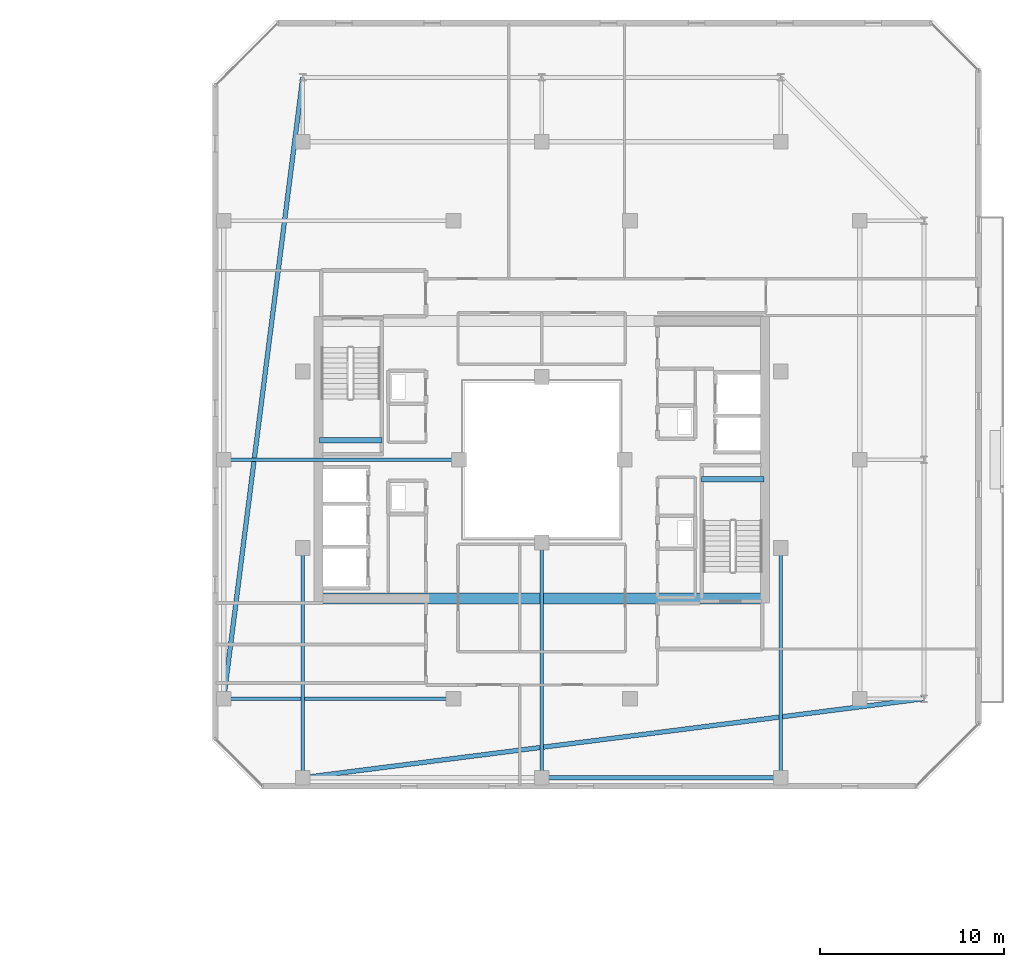
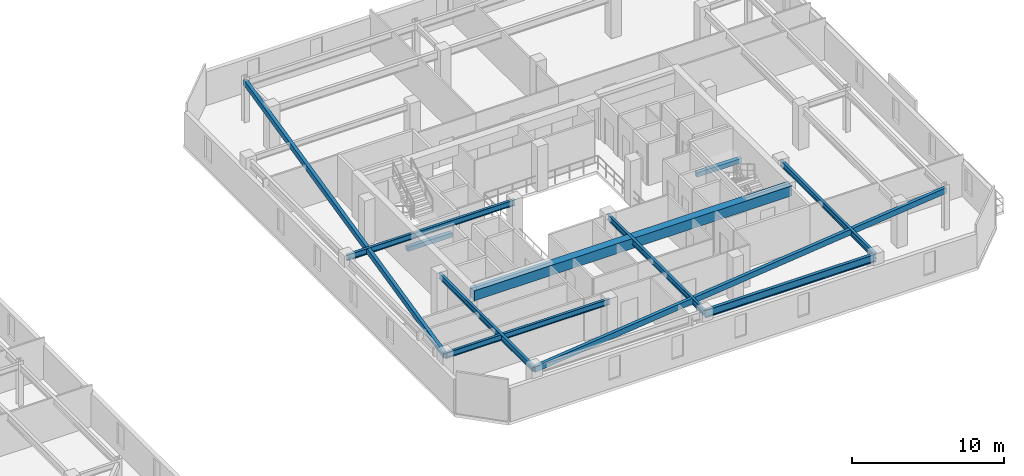
# One storey, part 15 of 35: 11 beams.
"""IFC4 building model written with IfcOpenShell, lengths in metres."""

from ifc_helpers import new_model, si_unit, direction, frame, origin, origin_2d, place, context, subcontext, project, spatial, rectangle, hollow_rectangle, i_section, extrude, material, material_profile, profile_set, type_object, element, save


model = new_model("IFC4")

# Units and contexts
model_context = context("Model", 3, precision=1e-05, world=origin(), true_north=direction((0.0, 1.0)))
body_context = subcontext(model_context, "Body", "Model", "MODEL_VIEW")
ifc_project = project(units=[si_unit("LENGTHUNIT", "METRE"), si_unit("AREAUNIT", "SQUARE_METRE"), si_unit("VOLUMEUNIT", "CUBIC_METRE"), si_unit("PLANEANGLEUNIT", "RADIAN"), si_unit("MASSUNIT", "GRAM", prefix="KILO")], contexts=[model_context])

# Site, building, storey
site_placement = place(None, origin())
site = spatial("IfcSite", under=ifc_project, at=site_placement, CompositionType="ELEMENT")
building_placement = place(site_placement, origin())
building = spatial("IfcBuilding", under=site, at=building_placement, Name="Thornwick Lancets Civic Towers", CompositionType="ELEMENT")
storey_placement = place(building_placement, frame((0.0, 0.0, 265.5)))
storey = spatial("IfcBuildingStorey", under=building, at=storey_placement, Name="L71", CompositionType="ELEMENT", Elevation=265.5)

# Beams
ifc_material_1 = material(Name="Concrete C60/75", Category="concrete")
ifc_material_profile_1 = material_profile(ifc_material_1, rectangle(XDim=0.60009765625, YDim=0.800048828125, at=origin_2d()), Name="RC 600x800")
ifc_profile_set_1 = profile_set([ifc_material_profile_1], Name="Concrete C60/75")
beam_type_1 = type_object("IfcBeamType", Name="BM_COUP_RC800", PredefinedType="BEAM", material=ifc_profile_set_1)
beam_1_placement = place(storey_placement, frame((76.39990234375, 19.449951171875, 2.9599609375), z_axis=(1.0, 0.0, 0.0), x_axis=(0.0, 1.0, 0.0)))
element("IfcBeam", 1, at=beam_1_placement, inside=storey, type_object=beam_type_1, Name="CB-L71-B2", PredefinedType="BEAM", context=body_context, shape_type="SweptSolid", body=[
    extrude(rectangle(XDim=0.60009765625, YDim=0.800048828125, at=origin_2d()), origin(), (0.0, 0.0, 1.0), 24.2001953125),
])
ifc_material_2 = material(Name="Steel S355JR", Category="steel")
ifc_material_profile_2 = material_profile(ifc_material_2, i_section(OverallWidth=0.230224609375, OverallDepth=0.6171875, WebThickness=0.01318359375, FlangeThickness=0.022216796875, FilletRadius=0.0126953125, at=origin_2d()), Name="UKB 610x229x140")
ifc_profile_set_2 = profile_set([ifc_material_profile_2], Name="Steel S355JR")
beam_type_2 = type_object("IfcBeamType", Name="BM_GIRD_610_140", PredefinedType="BEAM", material=ifc_profile_set_2)
beam_2_placement = place(storey_placement, frame((101.5, 9.699951171875, 3.051513671875), z_axis=(-1.0, 0.0, 0.0), x_axis=(0.0, -1.0, 0.0)))
element("IfcBeam", 2, at=beam_2_placement, inside=storey, type_object=beam_type_2, Name="BM-SPINE-L71-B-9-10", PredefinedType="BEAM", context=body_context, shape_type="SweptSolid", body=[
    extrude(i_section(OverallWidth=0.230224609375, OverallDepth=0.6171875, WebThickness=0.01318359375, FlangeThickness=0.022216796875, FilletRadius=0.0126953125, at=origin_2d()), origin(), (0.0, 0.0, 1.0), 13.0),
])
ifc_material_profile_3 = material_profile(ifc_material_2, i_section(OverallWidth=0.19287109375, OverallDepth=0.46728515625, WebThickness=0.011474609375, FlangeThickness=0.01953125, FilletRadius=0.01025390625, at=origin_2d()), Name="UKB 457x191x98")
ifc_profile_set_3 = profile_set([ifc_material_profile_3], Name="Steel S355JR")
beam_type_3 = type_object("IfcBeamType", Name="BM_JOIST_457_98", PredefinedType="JOIST", material=ifc_profile_set_3)
beam_3_placement = place(storey_placement, frame((83.699951171875, 14.0, 3.12646484375), z_axis=(-1.0, 0.0, 0.0), x_axis=(0.0, -1.0, 0.0)))
element("IfcBeam", 3, at=beam_3_placement, inside=storey, type_object=beam_type_3, Name="BM-RADIN-L71-B07", PredefinedType="JOIST", context=body_context, shape_type="SweptSolid", body=[
    extrude(i_section(OverallWidth=0.19287109375, OverallDepth=0.46728515625, WebThickness=0.011474609375, FlangeThickness=0.01953125, FilletRadius=0.01025390625, at=origin_2d()), origin(), (0.0, 0.0, 1.0), 12.5),
])
beam_4_placement = place(storey_placement, frame((84.0, 27.0, 3.12646484375), z_axis=(-1.0, 0.0, 0.0), x_axis=(0.0, -1.0, 0.0)))
element("IfcBeam", 4, at=beam_4_placement, inside=storey, type_object=beam_type_3, Name="BM-RADIN-L71-B08", PredefinedType="JOIST", context=body_context, shape_type="SweptSolid", body=[
    extrude(i_section(OverallWidth=0.19287109375, OverallDepth=0.46728515625, WebThickness=0.011474609375, FlangeThickness=0.01953125, FilletRadius=0.01025390625, at=origin_2d()), origin(), (0.0, 0.0, 1.0), 12.800048828125),
])
beam_5_placement = place(storey_placement, frame((101.5, 22.199951171875, 3.12646484375), z_axis=(0.0, -1.0, 0.0), x_axis=(1.0, 0.0, 0.0)))
element("IfcBeam", 5, at=beam_5_placement, inside=storey, type_object=beam_type_3, Name="BM-RADIN-L71-B10", PredefinedType="JOIST", context=body_context, shape_type="SweptSolid", body=[
    extrude(i_section(OverallWidth=0.19287109375, OverallDepth=0.46728515625, WebThickness=0.011474609375, FlangeThickness=0.01953125, FilletRadius=0.01025390625, at=origin_2d()), origin(), (0.0, 0.0, 1.0), 12.5),
])
beam_6_placement = place(storey_placement, frame((88.5, 22.5, 3.12646484375), z_axis=(0.0, -1.0, 0.0), x_axis=(1.0, 0.0, 0.0)))
element("IfcBeam", 6, at=beam_6_placement, inside=storey, type_object=beam_type_3, Name="BM-RADIN-L71-B11", PredefinedType="JOIST", context=body_context, shape_type="SweptSolid", body=[
    extrude(i_section(OverallWidth=0.19287109375, OverallDepth=0.46728515625, WebThickness=0.011474609375, FlangeThickness=0.01953125, FilletRadius=0.01025390625, at=origin_2d()), origin(), (0.0, 0.0, 1.0), 12.800048828125),
])
beam_7_placement = place(storey_placement, frame((75.5, 22.199951171875, 3.12646484375), z_axis=(0.0, -1.0, 0.0), x_axis=(1.0, 0.0, 0.0)))
element("IfcBeam", 7, at=beam_7_placement, inside=storey, type_object=beam_type_3, Name="BM-RADIN-L71-B12", PredefinedType="JOIST", context=body_context, shape_type="SweptSolid", body=[
    extrude(i_section(OverallWidth=0.19287109375, OverallDepth=0.46728515625, WebThickness=0.011474609375, FlangeThickness=0.01953125, FilletRadius=0.01025390625, at=origin_2d()), origin(), (0.0, 0.0, 1.0), 12.5),
])
ifc_material_profile_4 = material_profile(ifc_material_2, hollow_rectangle(XDim=0.25, YDim=0.449951171875, WallThickness=0.01611328125, at=origin_2d()), Name="RHS 450x250x16")
ifc_profile_set_4 = profile_set([ifc_material_profile_4], Name="Steel S355JR")
beam_type_4 = type_object("IfcBeamType", Name="BM_RING_RHS450", PredefinedType="BEAM", material=ifc_profile_set_4)
for number, where, z_axis, x_axis, name in (
    (8, (75.5, 47.800048828125, 3.135009765625), (-0.126202998662, -0.992004437051, 0.0), (0.992004437051, -0.126202998662, 0.0), "BM-CHAMF-L71-B-C1"),
    (9, (75.5, 9.699951171875, 3.135009765625), (0.992004437051, 0.126202998662, 0.0), (-0.126202998662, 0.992004437051, 0.0), "BM-CHAMF-L71-B-C3"),
):
    element("IfcBeam", number, at=place(storey_placement, frame(where, z_axis=z_axis, x_axis=x_axis)), inside=storey, type_object=beam_type_4, Name=name, PredefinedType="BEAM", context=body_context, shape_type="SweptSolid", body=[
        extrude(hollow_rectangle(XDim=0.25, YDim=0.449951171875, WallThickness=0.01611328125, at=origin_2d()), origin(), (0.0, 0.0, 1.0), 34.072509765625),
    ])
ifc_material_3 = material(Name="Concrete C40/50", Category="concrete")
ifc_material_profile_5 = material_profile(ifc_material_3, rectangle(XDim=0.300048828125, YDim=0.35009765625, at=origin_2d()), Name="RC 300x350")
ifc_profile_set_5 = profile_set([ifc_material_profile_5], Name="Concrete C40/50")
beam_type_5 = type_object("IfcBeamType", Name="BM_STAIR_LDG", PredefinedType="BEAM", material=ifc_profile_set_5)
for number, where, z_axis, x_axis, name in (
    (10, (100.60009765625, 25.93505859375, 1.3779296875), (-1.0, 0.0, 0.0), (0.0, -1.0, 0.0), "L71 ST-B1 Landing Support Beam 1"),
    (11, (76.39990234375, 28.06494140625, 1.3779296875), (1.0, 0.0, 0.0), (0.0, 1.0, 0.0), "L71 ST-B2 Landing Support Beam 1"),
):
    element("IfcBeam", number, at=place(storey_placement, frame(where, z_axis=z_axis, x_axis=x_axis)), inside=storey, type_object=beam_type_5, Name=name, PredefinedType="BEAM", context=body_context, shape_type="SweptSolid", body=[
        extrude(rectangle(XDim=0.300048828125, YDim=0.35009765625, at=origin_2d()), origin(), (0.0, 0.0, 1.0), 3.400146484375),
    ])

save(model, "model.ifc")
